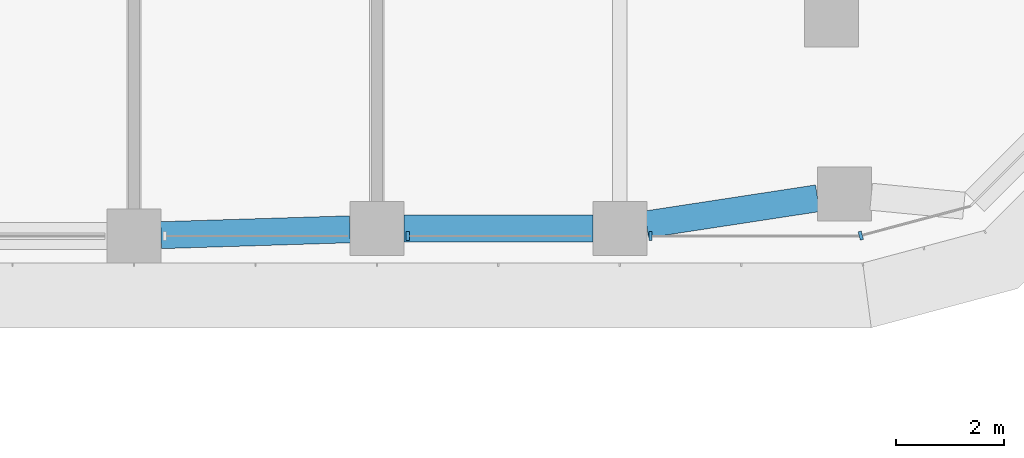
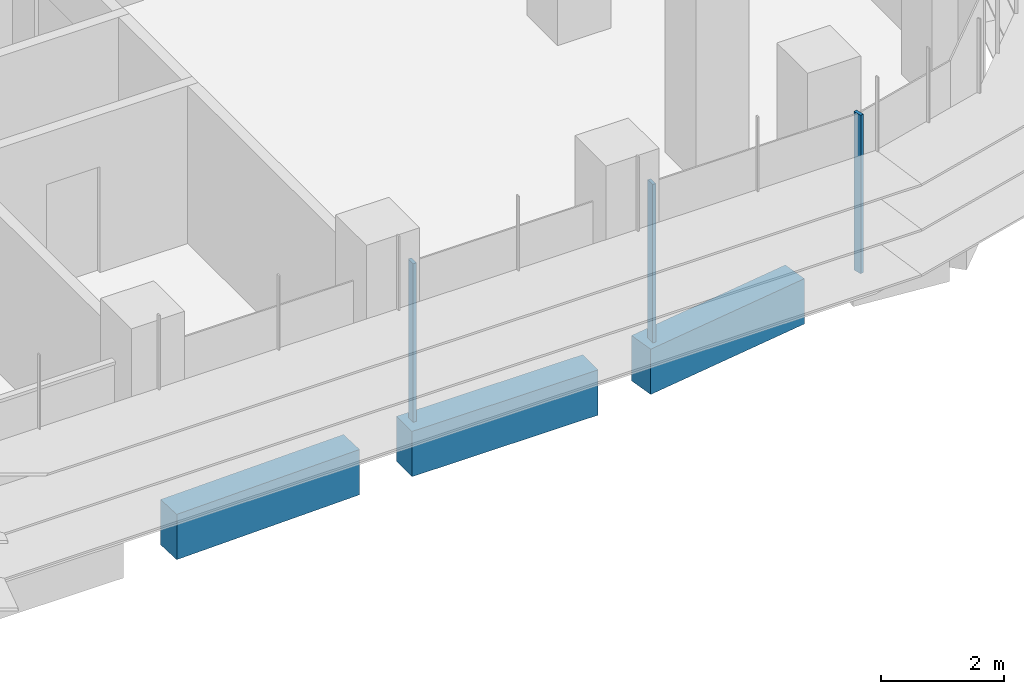
# One storey, part 5 of 23: 3 beams, 3 members, 2 elements without a shape of their own.
"""IFC4 building model written with IfcOpenShell, lengths in metres."""

import ifcopenshell
import ifcopenshell.guid

model = None  # the IFC model being written
_history = None  # IfcOwnerHistory: only IFC2X3 demands one
_inside = {}  # id of a spatial element -> (the spatial element, [elements in it])
_under = {}  # id of a project, library or spatial element -> (it, [spatial elements below it])
_declared = {}  # id of a project -> (the project, [libraries it declares])
_typed = {}  # id of a type object -> (the type object, [elements of that type])
_made_of = {}  # id of a material, layer set ... -> (it, [elements and type objects made of it])


def new_model(schema):
    """Start an empty IFC model of exactly this schema.

    Asked for "IFC4X3", IfcOpenShell would pick the latest addendum, in which some entities
    have other attributes; the version numbers below select the first issue.
    IFC2X3 requires an IfcOwnerHistory on every rooted entity: one is made here for all.
    """
    global model, _history
    if schema == "IFC4X3":
        model = ifcopenshell.file(schema_version=(4, 3, 0, 0))
    else:
        model = ifcopenshell.file(schema=schema)
    _inside.clear()
    _under.clear()
    _declared.clear()
    _typed.clear()
    _made_of.clear()
    _history = None
    if model.schema == "IFC2X3":
        org = make("IfcOrganization", Name="unknown")
        user = make(
            "IfcPersonAndOrganization",
            ThePerson=make("IfcPerson", FamilyName="unknown"),
            TheOrganization=org,
        )
        app = make(
            "IfcApplication",
            ApplicationDeveloper=org,
            Version="unknown",
            ApplicationFullName="unknown",
            ApplicationIdentifier="unknown",
        )
        _history = make(
            "IfcOwnerHistory",
            OwningUser=user,
            OwningApplication=app,
            ChangeAction="ADDED",
            CreationDate=0,
        )
    return model


def make(cls, **values):
    """One entity of the class cls with the attributes given. An attribute that is None is left unset."""
    return model.create_entity(
        cls, **{name: value for name, value in values.items() if value is not None}
    )


def rooted(cls, **values):
    """An entity with a GlobalId (a new one), such as an element, a storey or a relation."""
    return make(cls, GlobalId=ifcopenshell.guid.new(), OwnerHistory=_history, **values)


def si_unit(unit_type, name, prefix=None):
    """IfcSIUnit, for example si_unit("LENGTHUNIT", "METRE", prefix="MILLI")."""
    return make("IfcSIUnit", UnitType=unit_type, Prefix=prefix, Name=name)


def assignment(units):
    """IfcUnitAssignment: the units of a project."""
    return None if units is None else make("IfcUnitAssignment", Units=units)


def point(xyz):
    """IfcCartesianPoint."""
    return None if xyz is None else make("IfcCartesianPoint", Coordinates=xyz)


def direction(xyz):
    """IfcDirection."""
    return None if xyz is None else make("IfcDirection", DirectionRatios=xyz)


def frame(location, z_axis=None, x_axis=None):
    """IfcAxis2Placement3D, a coordinate frame: its origin and axes. An axis left out is left unset."""
    return make(
        "IfcAxis2Placement3D",
        Location=point(location),
        Axis=direction(z_axis),
        RefDirection=direction(x_axis),
    )


def frame_2d(location, x_axis=None):
    """IfcAxis2Placement2D, a coordinate frame in the plane: its origin and x axis."""
    return make(
        "IfcAxis2Placement2D", Location=point(location), RefDirection=direction(x_axis)
    )


def origin():
    """The frame at (0, 0, 0) with its axes left unset."""
    return frame((0.0, 0.0, 0.0))


def origin_2d():
    """The frame at (0, 0) in the plane with its x axis left unset."""
    return frame_2d((0.0, 0.0))


def place(relative_to, where):
    """IfcLocalPlacement: puts the frame where relative to a parent placement (None: the world)."""
    return make(
        "IfcLocalPlacement", PlacementRelTo=relative_to, RelativePlacement=where
    )


def context(
    kind, dimensions, precision=None, world=None, true_north=None, identifier=None
):
    """IfcGeometricRepresentationContext, for example the 3D "Model" context."""
    return make(
        "IfcGeometricRepresentationContext",
        ContextIdentifier=identifier,
        ContextType=kind,
        CoordinateSpaceDimension=dimensions,
        Precision=precision,
        WorldCoordinateSystem=world,
        TrueNorth=true_north,
    )


def subcontext(parent, identifier, kind, view, scale=None):
    """IfcGeometricRepresentationSubContext, for example "Body" below "Model"."""
    return make(
        "IfcGeometricRepresentationSubContext",
        ContextIdentifier=identifier,
        ContextType=kind,
        ParentContext=parent,
        TargetScale=scale,
        TargetView=view,
    )


def project(units=None, contexts=None):
    """IfcProject with its units and contexts."""
    return rooted(
        "IfcProject",
        Name="project",
        RepresentationContexts=contexts,
        UnitsInContext=assignment(units),
    )


def spatial(cls, under=None, at=None, **own):
    """A site, building, storey or space (cls), placed at a placement, below another one or the project."""
    s = rooted(cls, ObjectPlacement=at, **own)
    if under is not None:
        _under.setdefault(under.id(), (under, []))[1].append(s)
    return s


def polyline(points):
    """IfcPolyline through the points."""
    return make("IfcPolyline", Points=[point(p) for p in points])


def profile(cls, at=None, kind="AREA", **sizes):
    """A parametric profile (cls). Its sizes go by their IFC names, for example OverallWidth=200.0."""
    return make(cls, ProfileType=kind, Position=at, **sizes)


def rectangle(**sizes):
    """IfcRectangleProfileDef."""
    return profile("IfcRectangleProfileDef", **sizes)


def outline(outer, holes=None, kind="AREA"):
    """IfcArbitraryClosedProfileDef: a profile drawn as a closed curve; with holes, ...WithVoids."""
    if holes is None:
        return make("IfcArbitraryClosedProfileDef", ProfileType=kind, OuterCurve=outer)
    return make(
        "IfcArbitraryProfileDefWithVoids",
        ProfileType=kind,
        OuterCurve=outer,
        InnerCurves=holes,
    )


def extrude(swept, where, along, depth):
    """IfcExtrudedAreaSolid: the profile swept, set in the frame where, extruded along a direction by depth."""
    return make(
        "IfcExtrudedAreaSolid",
        SweptArea=swept,
        Position=where,
        ExtrudedDirection=direction(along),
        Depth=depth,
    )


def shape(context_of_items, identifier, shape_type, items):
    """IfcShapeRepresentation: the items that make up one representation, for example the "Body"."""
    return make(
        "IfcShapeRepresentation",
        ContextOfItems=context_of_items,
        RepresentationIdentifier=identifier,
        RepresentationType=shape_type,
        Items=items,
    )


def source(mapping_origin, context_of_items, identifier, shape_type, items):
    """IfcRepresentationMap: a shape defined once, which mapped items show again and again."""
    return make(
        "IfcRepresentationMap",
        MappingOrigin=mapping_origin,
        MappedRepresentation=shape(context_of_items, identifier, shape_type, items),
    )


def transform(
    local_origin,
    x_axis=None,
    y_axis=None,
    z_axis=None,
    scale=None,
    scale2=None,
    scale3=None,
    uniform=True,
):
    """IfcCartesianTransformationOperator3D, or its non-uniform kind. x_axis, y_axis, z_axis: its Axis1, 2, 3."""
    if uniform:
        return make(
            "IfcCartesianTransformationOperator3D",
            Axis1=direction(x_axis),
            Axis2=direction(y_axis),
            LocalOrigin=point(local_origin),
            Scale=scale,
            Axis3=direction(z_axis),
        )
    return make(
        "IfcCartesianTransformationOperator3DnonUniform",
        Axis1=direction(x_axis),
        Axis2=direction(y_axis),
        LocalOrigin=point(local_origin),
        Scale=scale,
        Axis3=direction(z_axis),
        Scale2=scale2,
        Scale3=scale3,
    )


def mapped(mapping_source, mapping_target):
    """IfcMappedItem: shows the shape of a source again, moved by a transform."""
    return make(
        "IfcMappedItem", MappingSource=mapping_source, MappingTarget=mapping_target
    )


def material(Name=None, Category=None):
    """IfcMaterial."""
    return make("IfcMaterial", Name=Name, Category=Category)


def material_profile(
    of_material, cross_section, Name=None, Category=None, Priority=None
):
    """IfcMaterialProfile: a cross section and its material."""
    return make(
        "IfcMaterialProfile",
        Name=Name,
        Material=of_material,
        Profile=cross_section,
        Priority=Priority,
        Category=Category,
    )


def profile_set(profiles, Name=None, composite=None):
    """IfcMaterialProfileSet."""
    return make(
        "IfcMaterialProfileSet",
        Name=Name,
        MaterialProfiles=profiles,
        CompositeProfile=composite,
    )


def made_of(thing, what):
    """Note that an element or type object is made of a material, layer set ...; save() writes the relation."""
    if what is not None:
        _made_of.setdefault(what.id(), (what, []))[1].append(thing)
    return thing


def type_object(cls, material=None, **own):
    """A type object (cls), such as IfcWallType, which elements share."""
    return made_of(rooted(cls, **own), material)


def element(
    cls,
    number,
    at=None,
    inside=None,
    cuts=None,
    type_object=None,
    material=None,
    context=None,
    identifier="Body",
    shape_type=None,
    held_by="IfcProductDefinitionShape",
    body=None,
    shapes=None,
    **own,
):
    """One element of the class cls, such as IfcWall. Its Tag is "e" and its number.

    at: its placement. inside: the storey or other place that contains it. cuts: it is an
    opening in that element (IfcRelVoidsElement). A single representation is given by context,
    identifier, shape_type and body (its items); several are given by shapes. held_by: the class
    of the entity that holds the representations. save() writes the other relations.
    """
    e = rooted(cls, Tag="e%d" % number, ObjectPlacement=at, **own)
    if body is not None:
        shapes = [shape(context, identifier, shape_type, body)]
    if shapes is not None:
        e.Representation = make(held_by, Representations=shapes)
    if inside is not None:
        _inside.setdefault(inside.id(), (inside, []))[1].append(e)
    if cuts is not None:
        rooted(
            "IfcRelVoidsElement", RelatingBuildingElement=cuts, RelatedOpeningElement=e
        )
    if type_object is not None:
        _typed.setdefault(type_object.id(), (type_object, []))[1].append(e)
    return made_of(e, material)


def aggregate(whole, parts):
    """IfcRelAggregates: a whole, such as a stair, and the parts it consists of."""
    return rooted("IfcRelAggregates", RelatingObject=whole, RelatedObjects=parts)


def save(model, path):
    """Write the relations noted so far, then the file.

    IfcRelAggregates (storeys below a building ...), IfcRelContainedInSpatialStructure (elements
    in a storey), IfcRelDefinesByType, IfcRelAssociatesMaterial and IfcRelDeclares: one each for
    every whole, place, type object, material and project.
    """
    for whole, parts in _under.values():
        aggregate(whole, parts)
    for where, things in _inside.values():
        rooted(
            "IfcRelContainedInSpatialStructure",
            RelatedElements=things,
            RelatingStructure=where,
        )
    for kind, things in _typed.values():
        rooted("IfcRelDefinesByType", RelatedObjects=things, RelatingType=kind)
    for what, things in _made_of.values():
        rooted("IfcRelAssociatesMaterial", RelatedObjects=things, RelatingMaterial=what)
    for by, libraries in _declared.values():
        rooted("IfcRelDeclares", RelatingContext=by, RelatedDefinitions=libraries)
    model.write(path)


model = new_model("IFC4")

# Units and contexts
model_context = context("Model", 3, precision=1e-05, world=origin(), true_north=direction((0.0, 1.0)))
body_context = subcontext(model_context, "Body", "Model", "MODEL_VIEW")
ifc_project = project(units=[si_unit("LENGTHUNIT", "METRE"), si_unit("AREAUNIT", "SQUARE_METRE"), si_unit("VOLUMEUNIT", "CUBIC_METRE"), si_unit("PLANEANGLEUNIT", "RADIAN"), si_unit("MASSUNIT", "GRAM", prefix="KILO")], contexts=[model_context])

# Site, building, storey
site_placement = place(None, origin())
site = spatial("IfcSite", under=ifc_project, at=site_placement, CompositionType="ELEMENT")
building_placement = place(site_placement, origin())
building = spatial("IfcBuilding", under=site, at=building_placement, Name="Zarbagh Exchange Tower", CompositionType="ELEMENT")
storey_placement = place(building_placement, frame((0.0, 0.0, 39.60009765625)))
storey = spatial("IfcBuildingStorey", under=building, at=storey_placement, Name="L08", CompositionType="ELEMENT", Elevation=39.60009765625)

# Beams
ifc_material_1 = material(Name="Concrete C60/75", Category="concrete")
ifc_material_profile = material_profile(ifc_material_1, rectangle(XDim=0.5, YDim=0.89990234375, at=origin_2d()), Name="RC spandrel beam 500 x 900 C60/75")
ifc_profile_set = profile_set([ifc_material_profile], Name="Concrete C60/75")
beam_type = type_object("IfcBeamType", Name="RC spandrel beam 500 x 900 C60/75", PredefinedType="SPANDREL", material=ifc_profile_set)
beam_1_placement = place(storey_placement, frame((28.413818359375, -5.550537109375, -0.60009765625), z_axis=(-0.988545350976, -0.150924116903, 0.0), x_axis=(0.150924116903, -0.988545350976, 0.0)))
element("IfcBeam", 1, at=beam_1_placement, inside=storey, type_object=beam_type, Name="RC spandrel beam", PredefinedType="SPANDREL", context=body_context, shape_type="SweptSolid", body=[
    extrude(rectangle(XDim=0.5, YDim=0.89990234375, at=origin_2d()), origin(), (0.0, 0.0, 1.0), 3.2060546875),
])
beam_2_placement = place(storey_placement, frame((24.25, -6.110107421875, -0.60009765625), z_axis=(-1.0, 0.0, 0.0), x_axis=(0.0, -1.0, 0.0)))
element("IfcBeam", 2, at=beam_2_placement, inside=storey, type_object=beam_type, Name="RC spandrel beam", PredefinedType="SPANDREL", context=body_context, shape_type="SweptSolid", body=[
    extrude(rectangle(XDim=0.5, YDim=0.89990234375, at=origin_2d()), origin(), (0.0, 0.0, 1.0), 3.5),
])
beam_3_placement = place(storey_placement, frame((19.750244140625, -6.12548828125, -0.60009765625), z_axis=(-0.999514385708, -0.031160756759, 0.0), x_axis=(0.031160756759, -0.999514385708, 0.0)))
element("IfcBeam", 3, at=beam_3_placement, inside=storey, type_object=beam_type, Name="RC spandrel beam", PredefinedType="SPANDREL", context=body_context, shape_type="SweptSolid", body=[
    extrude(rectangle(XDim=0.5, YDim=0.89990234375, at=origin_2d()), origin(), (0.0, 0.0, 1.0), 3.502197265625),
])

# Curtain wall, members
ifc_material_2 = material(Name="Anodised aluminium frame and glazing", Category="aluminium")
curtain_wall_type = type_object("IfcCurtainWallType", Name="CWA Ribbon glazing, lower zones", PredefinedType="NOTDEFINED", material=ifc_material_2)
curtain_wall_1_placement = place(storey_placement, origin())
curtain_wall_1 = element("IfcCurtainWall", 4, at=curtain_wall_1_placement, inside=storey, type_object=curtain_wall_type, Name="CWA08 curtain wall", PredefinedType="NOTDEFINED")
ifc_material_3 = material(Name="Anodised aluminium frame", Category="aluminium")
member_type = type_object("IfcMemberType", Name="MUA Mullion, anodised aluminium frame", PredefinedType="MULLION", material=ifc_material_3)
shared_shape = source(origin(), body_context, "Body", "SweptSolid", [
    extrude(outline(polyline([(0.0, -0.080078125), (0.06005859375, -0.080078125), (0.06005859375, 0.080078125), (0.0, 0.080078125), (0.0, -0.080078125)])), origin(), (0.0, 0.0, 1.0), 3.14990234375),
])
placement = place(storey_placement, origin())
member_1 = element("IfcMember", 5, at=placement, type_object=member_type, Name="CWA08 mullion 3.1", PredefinedType="MULLION", context=body_context, shape_type="MappedRepresentation", body=[
    mapped(shared_shape, transform((20.7900390625, -6.25, 0.0), x_axis=(1.0, 0.0, 0.0), y_axis=(0.0, 1.0, 0.0), z_axis=(0.0, 0.0, 1.0))),
])
member_2 = element("IfcMember", 6, at=placement, type_object=member_type, Name="CWA08 mullion 4.1", PredefinedType="MULLION", context=body_context, shape_type="MappedRepresentation", body=[
    mapped(shared_shape, transform((25.2900390625, -6.25, 0.0), x_axis=(1.0, 0.0, 0.0), y_axis=(0.0, 1.0, 0.0), z_axis=(0.0, 0.0, 1.0))),
])
aggregate(curtain_wall_1, [member_1, member_2])

# Curtain wall, member
curtain_wall_2_placement = place(storey_placement, origin())
curtain_wall_2 = element("IfcCurtainWall", 7, at=curtain_wall_2_placement, inside=storey, type_object=curtain_wall_type, Name="CWA09 curtain wall", PredefinedType="NOTDEFINED")
member_3 = element("IfcMember", 8, at=placement, type_object=member_type, Name="CWA09 mullion 1.1", PredefinedType="MULLION", context=body_context, shape_type="MappedRepresentation", body=[
    mapped(shared_shape, transform((29.18408203125, -6.25, 0.0), x_axis=(0.965924289636, 0.258824779902, 0.0), y_axis=(-0.258824779902, 0.965924289636, 0.0), z_axis=(0.0, 0.0, 1.0))),
])
aggregate(curtain_wall_2, [member_3])

save(model, "model.ifc")
